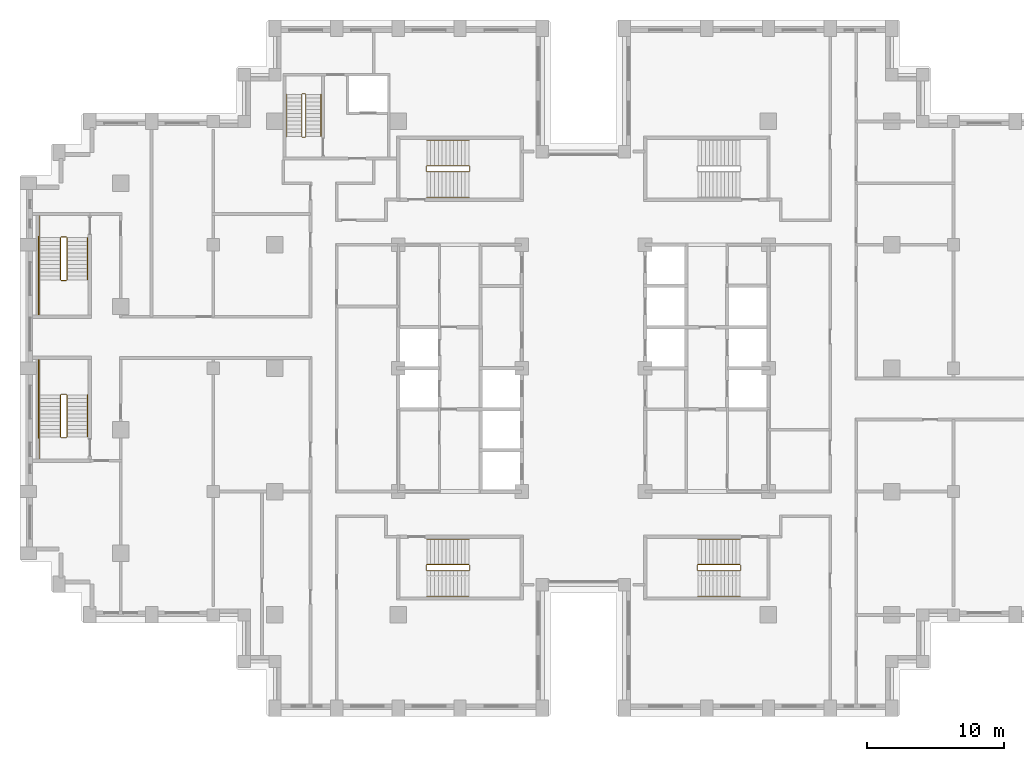
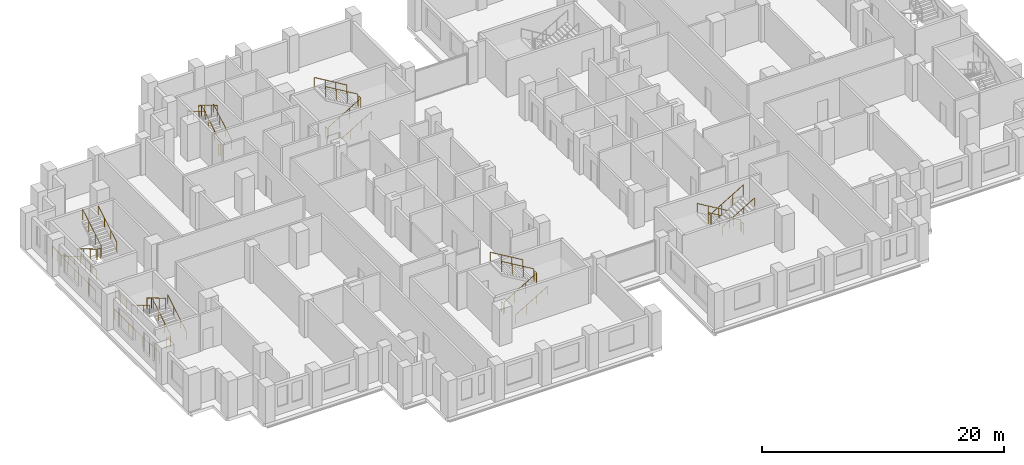
# One storey, part 14 of 15: 6 railings.
"""IFC4 building model written with IfcOpenShell, lengths in metres."""

from ifc_helpers import new_model, si_unit, direction, frame, origin, origin_2d, place, context, subcontext, project, spatial, circle, extrude, material, type_object, element, save


model = new_model("IFC4")

# Units and contexts
model_context = context("Model", 3, precision=1e-05, world=origin(), true_north=direction((0.0, 1.0)))
body_context = subcontext(model_context, "Body", "Model", "MODEL_VIEW")
ifc_project = project(units=[si_unit("LENGTHUNIT", "METRE"), si_unit("AREAUNIT", "SQUARE_METRE"), si_unit("VOLUMEUNIT", "CUBIC_METRE"), si_unit("PLANEANGLEUNIT", "RADIAN"), si_unit("MASSUNIT", "GRAM", prefix="KILO")], contexts=[model_context])

# Site, building, storey
site_placement = place(None, origin())
site = spatial("IfcSite", under=ifc_project, at=site_placement, CompositionType="ELEMENT")
building_placement = place(site_placement, origin())
building = spatial("IfcBuilding", under=site, at=building_placement, Name="Corbelhall Arena Tower", CompositionType="ELEMENT")
storey_placement = place(building_placement, frame((0.0, 0.0, 92.0)))
storey = spatial("IfcBuildingStorey", under=building, at=storey_placement, Name="L15", CompositionType="ELEMENT", Elevation=92.0)

# Railings
ifc_material = material(Name="Steel ASTM A500 Gr C", Category="steel")
railing_type = type_object("IfcRailingType", Name="IN-GD-1100", PredefinedType="GUARDRAIL", material=ifc_material)
railing_1_placement = place(storey_placement, frame((-11.425048828125, 14.324951171875, 0.166748046875)))
element("IfcRailing", 1, at=railing_1_placement, inside=storey, type_object=railing_type, Name="L15 ST1 stair guards and handrails", PredefinedType="GUARDRAIL", context=body_context, shape_type="SweptSolid", body=[
    extrude(circle(Radius=0.02392578125, at=origin_2d()), frame((0.0, 0.0, 1.076171875), z_axis=(0.859308565015, 0.0, 0.511457515432), x_axis=(0.0, 1.0, 0.0)), (0.0, 0.0, 1.0), 3.58447265625),
    extrude(circle(Radius=0.02392578125, at=origin_2d()), frame((3.130126953125, 0.050048828125, 2.9091796875), z_axis=(0.0, 1.0, 0.0), x_axis=(-1.0, 0.0, 0.0)), (0.0, 0.0, 1.0), 0.35009765625),
    extrude(circle(Radius=0.02392578125, at=origin_2d()), frame((3.080078125, 0.449951171875, 3.076171875), z_axis=(-0.859308565015, 0.0, 0.511457515432), x_axis=(0.0, -1.0, 0.0)), (0.0, 0.0, 1.0), 3.58447265625),
    extrude(circle(Radius=0.02392578125, at=origin_2d()), frame((-0.050048828125, 0.050048828125, 0.9091796875), z_axis=(0.0, 1.0, 0.0), x_axis=(-1.0, 0.0, 0.0)), (0.0, 0.0, 1.0), 0.35009765625),
    extrude(circle(Radius=0.02392578125, at=origin_2d()), frame((0.0, -1.849853515625, 0.8759765625), z_axis=(0.859308565015, 0.0, 0.511457515432), x_axis=(0.0, 1.0, 0.0)), (0.0, 0.0, 1.0), 3.58447265625),
    extrude(circle(Radius=0.02392578125, at=origin_2d()), frame((3.080078125, 2.300048828125, 2.8759765625), z_axis=(-0.859308565015, 0.0, 0.511457515432), x_axis=(0.0, -1.0, 0.0)), (0.0, 0.0, 1.0), 3.58447265625),
    extrude(circle(Radius=0.02099609375, at=origin_2d()), origin(), (0.0, 0.0, 1.0), 1.052001953125),
    extrude(circle(Radius=0.02099609375, at=origin_2d()), frame((1.026611328125, 0.0, 0.611083984375)), (0.0, 0.0, 1.0), 1.052001953125),
    extrude(circle(Radius=0.02099609375, at=origin_2d()), frame((2.053466796875, 0.0, 1.22216796875)), (0.0, 0.0, 1.0), 1.052001953125),
    extrude(circle(Radius=0.02099609375, at=origin_2d()), frame((3.080078125, 0.0, 1.833251953125)), (0.0, 0.0, 1.0), 1.052001953125),
    extrude(circle(Radius=0.02099609375, at=origin_2d()), frame((3.130126953125, 0.050048828125, 1.833251953125)), (0.0, 0.0, 1.0), 1.052001953125),
    extrude(circle(Radius=0.02099609375, at=origin_2d()), frame((3.130126953125, 0.400146484375, 1.833251953125)), (0.0, 0.0, 1.0), 1.052001953125),
    extrude(circle(Radius=0.02099609375, at=origin_2d()), frame((3.080078125, 0.449951171875, 2.0)), (0.0, 0.0, 1.0), 1.052001953125),
    extrude(circle(Radius=0.02099609375, at=origin_2d()), frame((2.053466796875, 0.449951171875, 2.611083984375)), (0.0, 0.0, 1.0), 1.052001953125),
    extrude(circle(Radius=0.02099609375, at=origin_2d()), frame((1.026611328125, 0.449951171875, 3.22216796875)), (0.0, 0.0, 1.0), 1.052001953125),
    extrude(circle(Radius=0.02099609375, at=origin_2d()), frame((0.0, 0.449951171875, 3.833251953125)), (0.0, 0.0, 1.0), 1.052001953125),
    extrude(circle(Radius=0.02099609375, at=origin_2d()), frame((-0.050048828125, 0.050048828125, -0.166748046875)), (0.0, 0.0, 1.0), 1.052001953125),
    extrude(circle(Radius=0.02099609375, at=origin_2d()), frame((-0.050048828125, 0.400146484375, -0.166748046875)), (0.0, 0.0, 1.0), 1.052001953125),
    extrude(circle(Radius=0.02099609375, at=origin_2d()), frame((0.0, -1.849853515625, 0.0)), (0.0, 0.0, 1.0), 0.851806640625),
    extrude(circle(Radius=0.02099609375, at=origin_2d()), frame((1.026611328125, -1.849853515625, 0.611083984375)), (0.0, 0.0, 1.0), 0.851806640625),
    extrude(circle(Radius=0.02099609375, at=origin_2d()), frame((2.053466796875, -1.849853515625, 1.22216796875)), (0.0, 0.0, 1.0), 0.851806640625),
    extrude(circle(Radius=0.02099609375, at=origin_2d()), frame((3.080078125, -1.849853515625, 1.833251953125)), (0.0, 0.0, 1.0), 0.851806640625),
    extrude(circle(Radius=0.02099609375, at=origin_2d()), frame((3.080078125, 2.300048828125, 2.0)), (0.0, 0.0, 1.0), 0.851806640625),
    extrude(circle(Radius=0.02099609375, at=origin_2d()), frame((2.053466796875, 2.300048828125, 2.611083984375)), (0.0, 0.0, 1.0), 0.851806640625),
    extrude(circle(Radius=0.02099609375, at=origin_2d()), frame((1.026611328125, 2.300048828125, 3.22216796875)), (0.0, 0.0, 1.0), 0.851806640625),
    extrude(circle(Radius=0.02099609375, at=origin_2d()), frame((0.0, 2.300048828125, 3.833251953125)), (0.0, 0.0, 1.0), 0.851806640625),
])
railing_2_placement = place(storey_placement, frame((-11.425048828125, -14.77490234375, 0.166748046875)))
element("IfcRailing", 2, at=railing_2_placement, inside=storey, type_object=railing_type, Name="L15 ST2 stair guards and handrails", PredefinedType="GUARDRAIL", context=body_context, shape_type="SweptSolid", body=[
    extrude(circle(Radius=0.02392578125, at=origin_2d()), frame((0.0, 0.0, 1.076171875), z_axis=(0.859308565015, 0.0, 0.511457515432), x_axis=(0.0, 1.0, 0.0)), (0.0, 0.0, 1.0), 3.58447265625),
    extrude(circle(Radius=0.02392578125, at=origin_2d()), frame((3.130126953125, 0.0498046875, 2.9091796875), z_axis=(0.0, 1.0, 0.0), x_axis=(-1.0, 0.0, 0.0)), (0.0, 0.0, 1.0), 0.35009765625),
    extrude(circle(Radius=0.02392578125, at=origin_2d()), frame((3.080078125, 0.449951171875, 3.076171875), z_axis=(-0.859308565015, 0.0, 0.511457515432), x_axis=(0.0, -1.0, 0.0)), (0.0, 0.0, 1.0), 3.58447265625),
    extrude(circle(Radius=0.02392578125, at=origin_2d()), frame((-0.050048828125, 0.0498046875, 0.9091796875), z_axis=(0.0, 1.0, 0.0), x_axis=(-1.0, 0.0, 0.0)), (0.0, 0.0, 1.0), 0.35009765625),
    extrude(circle(Radius=0.02392578125, at=origin_2d()), frame((0.0, -1.85009765625, 0.8759765625), z_axis=(0.859308565015, 0.0, 0.511457515432), x_axis=(0.0, 1.0, 0.0)), (0.0, 0.0, 1.0), 3.58447265625),
    extrude(circle(Radius=0.02392578125, at=origin_2d()), frame((3.080078125, 2.2998046875, 2.8759765625), z_axis=(-0.859308565015, 0.0, 0.511457515432), x_axis=(0.0, -1.0, 0.0)), (0.0, 0.0, 1.0), 3.58447265625),
    extrude(circle(Radius=0.02099609375, at=origin_2d()), origin(), (0.0, 0.0, 1.0), 1.052001953125),
    extrude(circle(Radius=0.02099609375, at=origin_2d()), frame((1.026611328125, 0.0, 0.611083984375)), (0.0, 0.0, 1.0), 1.052001953125),
    extrude(circle(Radius=0.02099609375, at=origin_2d()), frame((2.053466796875, 0.0, 1.22216796875)), (0.0, 0.0, 1.0), 1.052001953125),
    extrude(circle(Radius=0.02099609375, at=origin_2d()), frame((3.080078125, 0.0, 1.833251953125)), (0.0, 0.0, 1.0), 1.052001953125),
    extrude(circle(Radius=0.02099609375, at=origin_2d()), frame((3.130126953125, 0.0498046875, 1.833251953125)), (0.0, 0.0, 1.0), 1.052001953125),
    extrude(circle(Radius=0.02099609375, at=origin_2d()), frame((3.130126953125, 0.39990234375, 1.833251953125)), (0.0, 0.0, 1.0), 1.052001953125),
    extrude(circle(Radius=0.02099609375, at=origin_2d()), frame((3.080078125, 0.449951171875, 2.0)), (0.0, 0.0, 1.0), 1.052001953125),
    extrude(circle(Radius=0.02099609375, at=origin_2d()), frame((2.053466796875, 0.449951171875, 2.611083984375)), (0.0, 0.0, 1.0), 1.052001953125),
    extrude(circle(Radius=0.02099609375, at=origin_2d()), frame((1.026611328125, 0.449951171875, 3.22216796875)), (0.0, 0.0, 1.0), 1.052001953125),
    extrude(circle(Radius=0.02099609375, at=origin_2d()), frame((0.0, 0.449951171875, 3.833251953125)), (0.0, 0.0, 1.0), 1.052001953125),
    extrude(circle(Radius=0.02099609375, at=origin_2d()), frame((-0.050048828125, 0.0498046875, -0.166748046875)), (0.0, 0.0, 1.0), 1.052001953125),
    extrude(circle(Radius=0.02099609375, at=origin_2d()), frame((-0.050048828125, 0.39990234375, -0.166748046875)), (0.0, 0.0, 1.0), 1.052001953125),
    extrude(circle(Radius=0.02099609375, at=origin_2d()), frame((0.0, -1.85009765625, 0.0)), (0.0, 0.0, 1.0), 0.851806640625),
    extrude(circle(Radius=0.02099609375, at=origin_2d()), frame((1.026611328125, -1.85009765625, 0.611083984375)), (0.0, 0.0, 1.0), 0.851806640625),
    extrude(circle(Radius=0.02099609375, at=origin_2d()), frame((2.053466796875, -1.85009765625, 1.22216796875)), (0.0, 0.0, 1.0), 0.851806640625),
    extrude(circle(Radius=0.02099609375, at=origin_2d()), frame((3.080078125, -1.85009765625, 1.833251953125)), (0.0, 0.0, 1.0), 0.851806640625),
    extrude(circle(Radius=0.02099609375, at=origin_2d()), frame((3.080078125, 2.2998046875, 2.0)), (0.0, 0.0, 1.0), 0.851806640625),
    extrude(circle(Radius=0.02099609375, at=origin_2d()), frame((2.053466796875, 2.2998046875, 2.611083984375)), (0.0, 0.0, 1.0), 0.851806640625),
    extrude(circle(Radius=0.02099609375, at=origin_2d()), frame((1.026611328125, 2.2998046875, 3.22216796875)), (0.0, 0.0, 1.0), 0.851806640625),
    extrude(circle(Radius=0.02099609375, at=origin_2d()), frame((0.0, 2.2998046875, 3.833251953125)), (0.0, 0.0, 1.0), 0.851806640625),
])
railing_3_placement = place(storey_placement, frame((11.425048828125, -14.324951171875, 0.166748046875)))
element("IfcRailing", 3, at=railing_3_placement, inside=storey, type_object=railing_type, Name="L15 ST4 stair guards and handrails", PredefinedType="GUARDRAIL", context=body_context, shape_type="SweptSolid", body=[
    extrude(circle(Radius=0.02392578125, at=origin_2d()), frame((0.0, 0.0, 1.076171875), z_axis=(-0.859308565015, 0.0, 0.511457515432), x_axis=(0.0, -1.0, 0.0)), (0.0, 0.0, 1.0), 3.58447265625),
    extrude(circle(Radius=0.02392578125, at=origin_2d()), frame((-3.130126953125, -0.050048828125, 2.9091796875), z_axis=(0.0, -1.0, 0.0), x_axis=(1.0, 0.0, 0.0)), (0.0, 0.0, 1.0), 0.35009765625),
    extrude(circle(Radius=0.02392578125, at=origin_2d()), frame((-3.080078125, -0.449951171875, 3.076171875), z_axis=(0.859308565015, 0.0, 0.511457515432), x_axis=(0.0, 1.0, 0.0)), (0.0, 0.0, 1.0), 3.58447265625),
    extrude(circle(Radius=0.02392578125, at=origin_2d()), frame((0.050048828125, -0.050048828125, 0.9091796875), z_axis=(0.0, -1.0, 0.0), x_axis=(1.0, 0.0, 0.0)), (0.0, 0.0, 1.0), 0.35009765625),
    extrude(circle(Radius=0.02392578125, at=origin_2d()), frame((0.0, 1.849853515625, 0.8759765625), z_axis=(-0.859308565015, 0.0, 0.511457515432), x_axis=(0.0, -1.0, 0.0)), (0.0, 0.0, 1.0), 3.58447265625),
    extrude(circle(Radius=0.02392578125, at=origin_2d()), frame((-3.080078125, -2.300048828125, 2.8759765625), z_axis=(0.859308565015, 0.0, 0.511457515432), x_axis=(0.0, 1.0, 0.0)), (0.0, 0.0, 1.0), 3.58447265625),
    extrude(circle(Radius=0.02099609375, at=origin_2d()), origin(), (0.0, 0.0, 1.0), 1.052001953125),
    extrude(circle(Radius=0.02099609375, at=origin_2d()), frame((-1.026611328125, 0.0, 0.611083984375)), (0.0, 0.0, 1.0), 1.052001953125),
    extrude(circle(Radius=0.02099609375, at=origin_2d()), frame((-2.053466796875, 0.0, 1.22216796875)), (0.0, 0.0, 1.0), 1.052001953125),
    extrude(circle(Radius=0.02099609375, at=origin_2d()), frame((-3.080078125, 0.0, 1.833251953125)), (0.0, 0.0, 1.0), 1.052001953125),
    extrude(circle(Radius=0.02099609375, at=origin_2d()), frame((-3.130126953125, -0.050048828125, 1.833251953125)), (0.0, 0.0, 1.0), 1.052001953125),
    extrude(circle(Radius=0.02099609375, at=origin_2d()), frame((-3.130126953125, -0.400146484375, 1.833251953125)), (0.0, 0.0, 1.0), 1.052001953125),
    extrude(circle(Radius=0.02099609375, at=origin_2d()), frame((-3.080078125, -0.449951171875, 2.0)), (0.0, 0.0, 1.0), 1.052001953125),
    extrude(circle(Radius=0.02099609375, at=origin_2d()), frame((-2.053466796875, -0.449951171875, 2.611083984375)), (0.0, 0.0, 1.0), 1.052001953125),
    extrude(circle(Radius=0.02099609375, at=origin_2d()), frame((-1.026611328125, -0.449951171875, 3.22216796875)), (0.0, 0.0, 1.0), 1.052001953125),
    extrude(circle(Radius=0.02099609375, at=origin_2d()), frame((0.0, -0.449951171875, 3.833251953125)), (0.0, 0.0, 1.0), 1.052001953125),
    extrude(circle(Radius=0.02099609375, at=origin_2d()), frame((0.050048828125, -0.050048828125, -0.166748046875)), (0.0, 0.0, 1.0), 1.052001953125),
    extrude(circle(Radius=0.02099609375, at=origin_2d()), frame((0.050048828125, -0.400146484375, -0.166748046875)), (0.0, 0.0, 1.0), 1.052001953125),
    extrude(circle(Radius=0.02099609375, at=origin_2d()), frame((0.0, 1.849853515625, 0.0)), (0.0, 0.0, 1.0), 0.851806640625),
    extrude(circle(Radius=0.02099609375, at=origin_2d()), frame((-1.026611328125, 1.849853515625, 0.611083984375)), (0.0, 0.0, 1.0), 0.851806640625),
    extrude(circle(Radius=0.02099609375, at=origin_2d()), frame((-2.053466796875, 1.849853515625, 1.22216796875)), (0.0, 0.0, 1.0), 0.851806640625),
    extrude(circle(Radius=0.02099609375, at=origin_2d()), frame((-3.080078125, 1.849853515625, 1.833251953125)), (0.0, 0.0, 1.0), 0.851806640625),
    extrude(circle(Radius=0.02099609375, at=origin_2d()), frame((-3.080078125, -2.300048828125, 2.0)), (0.0, 0.0, 1.0), 0.851806640625),
    extrude(circle(Radius=0.02099609375, at=origin_2d()), frame((-2.053466796875, -2.300048828125, 2.611083984375)), (0.0, 0.0, 1.0), 0.851806640625),
    extrude(circle(Radius=0.02099609375, at=origin_2d()), frame((-1.026611328125, -2.300048828125, 3.22216796875)), (0.0, 0.0, 1.0), 0.851806640625),
    extrude(circle(Radius=0.02099609375, at=origin_2d()), frame((0.0, -2.300048828125, 3.833251953125)), (0.0, 0.0, 1.0), 0.851806640625),
])
railing_4_placement = place(storey_placement, frame((-38.14990234375, 9.52490234375, 0.166748046875)))
element("IfcRailing", 4, at=railing_4_placement, inside=storey, type_object=railing_type, Name="L15 SC1 stair guards and handrails", PredefinedType="GUARDRAIL", context=body_context, shape_type="SweptSolid", body=[
    extrude(circle(Radius=0.02392578125, at=origin_2d()), frame((0.0, 0.0, 1.076171875), z_axis=(0.0, -0.859290745958, 0.51148745235), x_axis=(1.0, 0.0, 0.0)), (0.0, 0.0, 1.0), 3.584228515625),
    extrude(circle(Radius=0.02392578125, at=origin_2d()), frame((0.0498046875, -3.1298828125, 2.9091796875), z_axis=(1.0, 0.0, 0.0), x_axis=(0.0, 1.0, 0.0)), (0.0, 0.0, 1.0), 0.375),
    extrude(circle(Radius=0.02392578125, at=origin_2d()), frame((-1.5, -3.079833984375, 2.9091796875), z_axis=(0.0, -1.0, 0.0), x_axis=(1.0, 0.0, 0.0)), (0.0, 0.0, 1.0), 2.570068359375),
    extrude(circle(Radius=0.02392578125, at=origin_2d()), frame((0.474853515625, -3.079833984375, 3.076171875), z_axis=(0.0, 0.859290745958, 0.51148745235), x_axis=(-1.0, 0.0, 0.0)), (0.0, 0.0, 1.0), 3.584228515625),
    extrude(circle(Radius=0.02392578125, at=origin_2d()), frame((0.0498046875, 0.050048828125, 0.9091796875), z_axis=(1.0, 0.0, 0.0), x_axis=(0.0, 1.0, 0.0)), (0.0, 0.0, 1.0), 0.375),
    extrude(circle(Radius=0.02392578125, at=origin_2d()), frame((-1.5, 1.60009765625, 0.9091796875), z_axis=(0.0, -1.0, 0.0), x_axis=(1.0, 0.0, 0.0)), (0.0, 0.0, 1.0), 1.60009765625),
    extrude(circle(Radius=0.02392578125, at=origin_2d()), frame((-1.60009765625, 0.10009765625, 0.9091796875), z_axis=(0.0, -1.0, 0.0), x_axis=(1.0, 0.0, 0.0)), (0.0, 0.0, 1.0), 5.85009765625),
    extrude(circle(Radius=0.02392578125, at=origin_2d()), frame((-1.5, 0.0, 0.8759765625), z_axis=(0.0, -0.859290745958, 0.51148745235), x_axis=(1.0, 0.0, 0.0)), (0.0, 0.0, 1.0), 3.584228515625),
    extrude(circle(Radius=0.02392578125, at=origin_2d()), frame((1.974853515625, -3.079833984375, 2.8759765625), z_axis=(0.0, 0.859290745958, 0.51148745235), x_axis=(-1.0, 0.0, 0.0)), (0.0, 0.0, 1.0), 3.584228515625),
    extrude(circle(Radius=0.02099609375, at=origin_2d()), origin(), (0.0, 0.0, 1.0), 1.052001953125),
    extrude(circle(Radius=0.02099609375, at=origin_2d()), frame((0.0, -1.026611328125, 0.611083984375)), (0.0, 0.0, 1.0), 1.052001953125),
    extrude(circle(Radius=0.02099609375, at=origin_2d()), frame((0.0, -2.05322265625, 1.22216796875)), (0.0, 0.0, 1.0), 1.052001953125),
    extrude(circle(Radius=0.02099609375, at=origin_2d()), frame((0.0, -3.079833984375, 1.833251953125)), (0.0, 0.0, 1.0), 1.052001953125),
    extrude(circle(Radius=0.02099609375, at=origin_2d()), frame((0.0498046875, -3.1298828125, 1.833251953125)), (0.0, 0.0, 1.0), 1.052001953125),
    extrude(circle(Radius=0.02099609375, at=origin_2d()), frame((0.4248046875, -3.1298828125, 1.833251953125)), (0.0, 0.0, 1.0), 1.052001953125),
    extrude(circle(Radius=0.02099609375, at=origin_2d()), frame((-1.5, -3.079833984375, 1.833251953125)), (0.0, 0.0, 1.0), 1.052001953125),
    extrude(circle(Radius=0.02099609375, at=origin_2d()), frame((-1.5, -3.9365234375, 1.833251953125)), (0.0, 0.0, 1.0), 1.052001953125),
    extrude(circle(Radius=0.02099609375, at=origin_2d()), frame((-1.5, -4.793212890625, 1.833251953125)), (0.0, 0.0, 1.0), 1.052001953125),
    extrude(circle(Radius=0.02099609375, at=origin_2d()), frame((-1.5, -5.64990234375, 1.833251953125)), (0.0, 0.0, 1.0), 1.052001953125),
    extrude(circle(Radius=0.02099609375, at=origin_2d()), frame((0.474853515625, -3.079833984375, 2.0)), (0.0, 0.0, 1.0), 1.052001953125),
    extrude(circle(Radius=0.02099609375, at=origin_2d()), frame((0.474853515625, -2.05322265625, 2.611083984375)), (0.0, 0.0, 1.0), 1.052001953125),
    extrude(circle(Radius=0.02099609375, at=origin_2d()), frame((0.474853515625, -1.026611328125, 3.22216796875)), (0.0, 0.0, 1.0), 1.052001953125),
    extrude(circle(Radius=0.02099609375, at=origin_2d()), frame((0.474853515625, 0.0, 3.833251953125)), (0.0, 0.0, 1.0), 1.052001953125),
    extrude(circle(Radius=0.02099609375, at=origin_2d()), frame((0.0498046875, 0.050048828125, -0.166748046875)), (0.0, 0.0, 1.0), 1.052001953125),
    extrude(circle(Radius=0.02099609375, at=origin_2d()), frame((0.4248046875, 0.050048828125, -0.166748046875)), (0.0, 0.0, 1.0), 1.052001953125),
    extrude(circle(Radius=0.02099609375, at=origin_2d()), frame((-1.5, 1.60009765625, -0.166748046875)), (0.0, 0.0, 1.0), 1.052001953125),
    extrude(circle(Radius=0.02099609375, at=origin_2d()), frame((-1.5, 0.800048828125, -0.166748046875)), (0.0, 0.0, 1.0), 1.052001953125),
    extrude(circle(Radius=0.02099609375, at=origin_2d()), frame((-1.5, 0.0, -0.166748046875)), (0.0, 0.0, 1.0), 1.052001953125),
    extrude(circle(Radius=0.02099609375, at=origin_2d()), frame((-1.60009765625, 0.10009765625, -0.166748046875)), (0.0, 0.0, 1.0), 1.052001953125),
    extrude(circle(Radius=0.02099609375, at=origin_2d()), frame((-1.60009765625, -1.06982421875, -0.166748046875)), (0.0, 0.0, 1.0), 1.052001953125),
    extrude(circle(Radius=0.02099609375, at=origin_2d()), frame((-1.60009765625, -2.239990234375, -0.166748046875)), (0.0, 0.0, 1.0), 1.052001953125),
    extrude(circle(Radius=0.02099609375, at=origin_2d()), frame((-1.60009765625, -3.409912109375, -0.166748046875)), (0.0, 0.0, 1.0), 1.052001953125),
    extrude(circle(Radius=0.02099609375, at=origin_2d()), frame((-1.60009765625, -4.580078125, -0.166748046875)), (0.0, 0.0, 1.0), 1.052001953125),
    extrude(circle(Radius=0.02099609375, at=origin_2d()), frame((-1.60009765625, -5.75, -0.166748046875)), (0.0, 0.0, 1.0), 1.052001953125),
    extrude(circle(Radius=0.02099609375, at=origin_2d()), frame((-1.5, 0.0, 0.0)), (0.0, 0.0, 1.0), 0.851806640625),
    extrude(circle(Radius=0.02099609375, at=origin_2d()), frame((-1.5, -1.026611328125, 0.611083984375)), (0.0, 0.0, 1.0), 0.851806640625),
    extrude(circle(Radius=0.02099609375, at=origin_2d()), frame((-1.5, -2.05322265625, 1.22216796875)), (0.0, 0.0, 1.0), 0.851806640625),
    extrude(circle(Radius=0.02099609375, at=origin_2d()), frame((1.974853515625, -3.079833984375, 2.0)), (0.0, 0.0, 1.0), 0.851806640625),
    extrude(circle(Radius=0.02099609375, at=origin_2d()), frame((1.974853515625, -2.05322265625, 2.611083984375)), (0.0, 0.0, 1.0), 0.851806640625),
    extrude(circle(Radius=0.02099609375, at=origin_2d()), frame((1.974853515625, -1.026611328125, 3.22216796875)), (0.0, 0.0, 1.0), 0.851806640625),
    extrude(circle(Radius=0.02099609375, at=origin_2d()), frame((1.974853515625, 0.0, 3.833251953125)), (0.0, 0.0, 1.0), 0.851806640625),
])
railing_5_placement = place(storey_placement, frame((-37.675048828125, -5.02490234375, 0.166748046875)))
element("IfcRailing", 5, at=railing_5_placement, inside=storey, type_object=railing_type, Name="L15 SC2 stair guards and handrails", PredefinedType="GUARDRAIL", context=body_context, shape_type="SweptSolid", body=[
    extrude(circle(Radius=0.02392578125, at=origin_2d()), frame((0.0, 0.0, 1.076171875), z_axis=(0.0, 0.859290745958, 0.51148745235), x_axis=(-1.0, 0.0, 0.0)), (0.0, 0.0, 1.0), 3.584228515625),
    extrude(circle(Radius=0.02392578125, at=origin_2d()), frame((-0.050048828125, 3.1298828125, 2.9091796875), z_axis=(-1.0, 0.0, 0.0), x_axis=(0.0, -1.0, 0.0)), (0.0, 0.0, 1.0), 0.375),
    extrude(circle(Radius=0.02392578125, at=origin_2d()), frame((-1.974853515625, 3.079833984375, 2.9091796875), z_axis=(0.0, 1.0, 0.0), x_axis=(-1.0, 0.0, 0.0)), (0.0, 0.0, 1.0), 2.570068359375),
    extrude(circle(Radius=0.02392578125, at=origin_2d()), frame((-0.474853515625, 3.079833984375, 3.076171875), z_axis=(0.0, -0.859290745958, 0.51148745235), x_axis=(1.0, 0.0, 0.0)), (0.0, 0.0, 1.0), 3.584228515625),
    extrude(circle(Radius=0.02392578125, at=origin_2d()), frame((-0.050048828125, -0.050048828125, 0.9091796875), z_axis=(-1.0, 0.0, 0.0), x_axis=(0.0, -1.0, 0.0)), (0.0, 0.0, 1.0), 0.375),
    extrude(circle(Radius=0.02392578125, at=origin_2d()), frame((-1.974853515625, -1.60009765625, 0.9091796875), z_axis=(0.0, 1.0, 0.0), x_axis=(-1.0, 0.0, 0.0)), (0.0, 0.0, 1.0), 1.60009765625),
    extrude(circle(Radius=0.02392578125, at=origin_2d()), frame((-2.074951171875, -0.10009765625, 0.9091796875), z_axis=(0.0, 1.0, 0.0), x_axis=(-1.0, 0.0, 0.0)), (0.0, 0.0, 1.0), 5.85009765625),
    extrude(circle(Radius=0.02392578125, at=origin_2d()), frame((1.5, 0.0, 0.8759765625), z_axis=(0.0, 0.859290745958, 0.51148745235), x_axis=(-1.0, 0.0, 0.0)), (0.0, 0.0, 1.0), 3.584228515625),
    extrude(circle(Radius=0.02392578125, at=origin_2d()), frame((-1.974853515625, 3.079833984375, 2.8759765625), z_axis=(0.0, -0.859290745958, 0.51148745235), x_axis=(1.0, 0.0, 0.0)), (0.0, 0.0, 1.0), 3.584228515625),
    extrude(circle(Radius=0.02099609375, at=origin_2d()), origin(), (0.0, 0.0, 1.0), 1.052001953125),
    extrude(circle(Radius=0.02099609375, at=origin_2d()), frame((0.0, 1.026611328125, 0.611083984375)), (0.0, 0.0, 1.0), 1.052001953125),
    extrude(circle(Radius=0.02099609375, at=origin_2d()), frame((0.0, 2.05322265625, 1.22216796875)), (0.0, 0.0, 1.0), 1.052001953125),
    extrude(circle(Radius=0.02099609375, at=origin_2d()), frame((0.0, 3.079833984375, 1.833251953125)), (0.0, 0.0, 1.0), 1.052001953125),
    extrude(circle(Radius=0.02099609375, at=origin_2d()), frame((-0.050048828125, 3.1298828125, 1.833251953125)), (0.0, 0.0, 1.0), 1.052001953125),
    extrude(circle(Radius=0.02099609375, at=origin_2d()), frame((-0.425048828125, 3.1298828125, 1.833251953125)), (0.0, 0.0, 1.0), 1.052001953125),
    extrude(circle(Radius=0.02099609375, at=origin_2d()), frame((-1.974853515625, 3.079833984375, 1.833251953125)), (0.0, 0.0, 1.0), 1.052001953125),
    extrude(circle(Radius=0.02099609375, at=origin_2d()), frame((-1.974853515625, 3.9365234375, 1.833251953125)), (0.0, 0.0, 1.0), 1.052001953125),
    extrude(circle(Radius=0.02099609375, at=origin_2d()), frame((-1.974853515625, 4.793212890625, 1.833251953125)), (0.0, 0.0, 1.0), 1.052001953125),
    extrude(circle(Radius=0.02099609375, at=origin_2d()), frame((-1.974853515625, 5.64990234375, 1.833251953125)), (0.0, 0.0, 1.0), 1.052001953125),
    extrude(circle(Radius=0.02099609375, at=origin_2d()), frame((-0.474853515625, 3.079833984375, 2.0)), (0.0, 0.0, 1.0), 1.052001953125),
    extrude(circle(Radius=0.02099609375, at=origin_2d()), frame((-0.474853515625, 2.05322265625, 2.611083984375)), (0.0, 0.0, 1.0), 1.052001953125),
    extrude(circle(Radius=0.02099609375, at=origin_2d()), frame((-0.474853515625, 1.026611328125, 3.22216796875)), (0.0, 0.0, 1.0), 1.052001953125),
    extrude(circle(Radius=0.02099609375, at=origin_2d()), frame((-0.474853515625, 0.0, 3.833251953125)), (0.0, 0.0, 1.0), 1.052001953125),
    extrude(circle(Radius=0.02099609375, at=origin_2d()), frame((-0.050048828125, -0.050048828125, -0.166748046875)), (0.0, 0.0, 1.0), 1.052001953125),
    extrude(circle(Radius=0.02099609375, at=origin_2d()), frame((-0.425048828125, -0.050048828125, -0.166748046875)), (0.0, 0.0, 1.0), 1.052001953125),
    extrude(circle(Radius=0.02099609375, at=origin_2d()), frame((-1.974853515625, -1.60009765625, -0.166748046875)), (0.0, 0.0, 1.0), 1.052001953125),
    extrude(circle(Radius=0.02099609375, at=origin_2d()), frame((-1.974853515625, -0.800048828125, -0.166748046875)), (0.0, 0.0, 1.0), 1.052001953125),
    extrude(circle(Radius=0.02099609375, at=origin_2d()), frame((-1.974853515625, 0.0, -0.166748046875)), (0.0, 0.0, 1.0), 1.052001953125),
    extrude(circle(Radius=0.02099609375, at=origin_2d()), frame((-2.074951171875, -0.10009765625, -0.166748046875)), (0.0, 0.0, 1.0), 1.052001953125),
    extrude(circle(Radius=0.02099609375, at=origin_2d()), frame((-2.074951171875, 1.06982421875, -0.166748046875)), (0.0, 0.0, 1.0), 1.052001953125),
    extrude(circle(Radius=0.02099609375, at=origin_2d()), frame((-2.074951171875, 2.239990234375, -0.166748046875)), (0.0, 0.0, 1.0), 1.052001953125),
    extrude(circle(Radius=0.02099609375, at=origin_2d()), frame((-2.074951171875, 3.409912109375, -0.166748046875)), (0.0, 0.0, 1.0), 1.052001953125),
    extrude(circle(Radius=0.02099609375, at=origin_2d()), frame((-2.074951171875, 4.580078125, -0.166748046875)), (0.0, 0.0, 1.0), 1.052001953125),
    extrude(circle(Radius=0.02099609375, at=origin_2d()), frame((-2.074951171875, 5.75, -0.166748046875)), (0.0, 0.0, 1.0), 1.052001953125),
    extrude(circle(Radius=0.02099609375, at=origin_2d()), frame((1.5, 0.0, 0.0)), (0.0, 0.0, 1.0), 0.851806640625),
    extrude(circle(Radius=0.02099609375, at=origin_2d()), frame((1.5, 1.026611328125, 0.611083984375)), (0.0, 0.0, 1.0), 0.851806640625),
    extrude(circle(Radius=0.02099609375, at=origin_2d()), frame((1.5, 2.05322265625, 1.22216796875)), (0.0, 0.0, 1.0), 0.851806640625),
    extrude(circle(Radius=0.02099609375, at=origin_2d()), frame((1.5, 3.079833984375, 1.833251953125)), (0.0, 0.0, 1.0), 0.851806640625),
    extrude(circle(Radius=0.02099609375, at=origin_2d()), frame((-1.974853515625, 3.079833984375, 2.0)), (0.0, 0.0, 1.0), 0.851806640625),
    extrude(circle(Radius=0.02099609375, at=origin_2d()), frame((-1.974853515625, 2.05322265625, 2.611083984375)), (0.0, 0.0, 1.0), 0.851806640625),
    extrude(circle(Radius=0.02099609375, at=origin_2d()), frame((-1.974853515625, 1.026611328125, 3.22216796875)), (0.0, 0.0, 1.0), 0.851806640625),
    extrude(circle(Radius=0.02099609375, at=origin_2d()), frame((-1.974853515625, 0.0, 3.833251953125)), (0.0, 0.0, 1.0), 0.851806640625),
])
railing_6_placement = place(storey_placement, frame((-20.2451171875, 16.89990234375, 0.166748046875)))
element("IfcRailing", 6, at=railing_6_placement, inside=storey, type_object=railing_type, Name="L15 ST5 stair guards and handrails", PredefinedType="GUARDRAIL", context=body_context, shape_type="SweptSolid", body=[
    extrude(circle(Radius=0.02392578125, at=origin_2d()), frame((0.0, 0.0, 1.076171875), z_axis=(0.0, 0.859308565015, 0.511457515432), x_axis=(-1.0, 0.0, 0.0)), (0.0, 0.0, 1.0), 3.58447265625),
    extrude(circle(Radius=0.02392578125, at=origin_2d()), frame((-0.0498046875, 3.130126953125, 2.9091796875), z_axis=(-1.0, 0.0, 0.0), x_axis=(0.0, -1.0, 0.0)), (0.0, 0.0, 1.0), 0.2001953125),
    extrude(circle(Radius=0.02392578125, at=origin_2d()), frame((-0.2998046875, 3.080078125, 3.076171875), z_axis=(0.0, -0.859308565015, 0.511457515432), x_axis=(1.0, 0.0, 0.0)), (0.0, 0.0, 1.0), 3.58447265625),
    extrude(circle(Radius=0.02392578125, at=origin_2d()), frame((-0.0498046875, -0.0498046875, 0.9091796875), z_axis=(-1.0, 0.0, 0.0), x_axis=(0.0, -1.0, 0.0)), (0.0, 0.0, 1.0), 0.2001953125),
    extrude(circle(Radius=0.02392578125, at=origin_2d()), frame((1.10009765625, 0.0, 0.8759765625), z_axis=(0.0, 0.859308565015, 0.511457515432), x_axis=(-1.0, 0.0, 0.0)), (0.0, 0.0, 1.0), 3.58447265625),
    extrude(circle(Radius=0.02392578125, at=origin_2d()), frame((-1.39990234375, 3.080078125, 2.8759765625), z_axis=(0.0, -0.859308565015, 0.511457515432), x_axis=(1.0, 0.0, 0.0)), (0.0, 0.0, 1.0), 3.58447265625),
    extrude(circle(Radius=0.02099609375, at=origin_2d()), origin(), (0.0, 0.0, 1.0), 1.052001953125),
    extrude(circle(Radius=0.02099609375, at=origin_2d()), frame((0.0, 1.026611328125, 0.611083984375)), (0.0, 0.0, 1.0), 1.052001953125),
    extrude(circle(Radius=0.02099609375, at=origin_2d()), frame((0.0, 2.053466796875, 1.22216796875)), (0.0, 0.0, 1.0), 1.052001953125),
    extrude(circle(Radius=0.02099609375, at=origin_2d()), frame((0.0, 3.080078125, 1.833251953125)), (0.0, 0.0, 1.0), 1.052001953125),
    extrude(circle(Radius=0.02099609375, at=origin_2d()), frame((-0.0498046875, 3.130126953125, 1.833251953125)), (0.0, 0.0, 1.0), 1.052001953125),
    extrude(circle(Radius=0.02099609375, at=origin_2d()), frame((-0.25, 3.130126953125, 1.833251953125)), (0.0, 0.0, 1.0), 1.052001953125),
    extrude(circle(Radius=0.02099609375, at=origin_2d()), frame((-0.2998046875, 3.080078125, 2.0)), (0.0, 0.0, 1.0), 1.052001953125),
    extrude(circle(Radius=0.02099609375, at=origin_2d()), frame((-0.2998046875, 2.053466796875, 2.611083984375)), (0.0, 0.0, 1.0), 1.052001953125),
    extrude(circle(Radius=0.02099609375, at=origin_2d()), frame((-0.2998046875, 1.026611328125, 3.22216796875)), (0.0, 0.0, 1.0), 1.052001953125),
    extrude(circle(Radius=0.02099609375, at=origin_2d()), frame((-0.2998046875, 0.0, 3.833251953125)), (0.0, 0.0, 1.0), 1.052001953125),
    extrude(circle(Radius=0.02099609375, at=origin_2d()), frame((-0.0498046875, -0.0498046875, -0.166748046875)), (0.0, 0.0, 1.0), 1.052001953125),
    extrude(circle(Radius=0.02099609375, at=origin_2d()), frame((-0.25, -0.0498046875, -0.166748046875)), (0.0, 0.0, 1.0), 1.052001953125),
    extrude(circle(Radius=0.02099609375, at=origin_2d()), frame((1.10009765625, 0.0, 0.0)), (0.0, 0.0, 1.0), 0.851806640625),
    extrude(circle(Radius=0.02099609375, at=origin_2d()), frame((1.10009765625, 1.026611328125, 0.611083984375)), (0.0, 0.0, 1.0), 0.851806640625),
    extrude(circle(Radius=0.02099609375, at=origin_2d()), frame((1.10009765625, 2.053466796875, 1.22216796875)), (0.0, 0.0, 1.0), 0.851806640625),
    extrude(circle(Radius=0.02099609375, at=origin_2d()), frame((1.10009765625, 3.080078125, 1.833251953125)), (0.0, 0.0, 1.0), 0.851806640625),
    extrude(circle(Radius=0.02099609375, at=origin_2d()), frame((-1.39990234375, 3.080078125, 2.0)), (0.0, 0.0, 1.0), 0.851806640625),
    extrude(circle(Radius=0.02099609375, at=origin_2d()), frame((-1.39990234375, 2.053466796875, 2.611083984375)), (0.0, 0.0, 1.0), 0.851806640625),
    extrude(circle(Radius=0.02099609375, at=origin_2d()), frame((-1.39990234375, 1.026611328125, 3.22216796875)), (0.0, 0.0, 1.0), 0.851806640625),
    extrude(circle(Radius=0.02099609375, at=origin_2d()), frame((-1.39990234375, 0.0, 3.833251953125)), (0.0, 0.0, 1.0), 0.851806640625),
])

save(model, "model.ifc")
